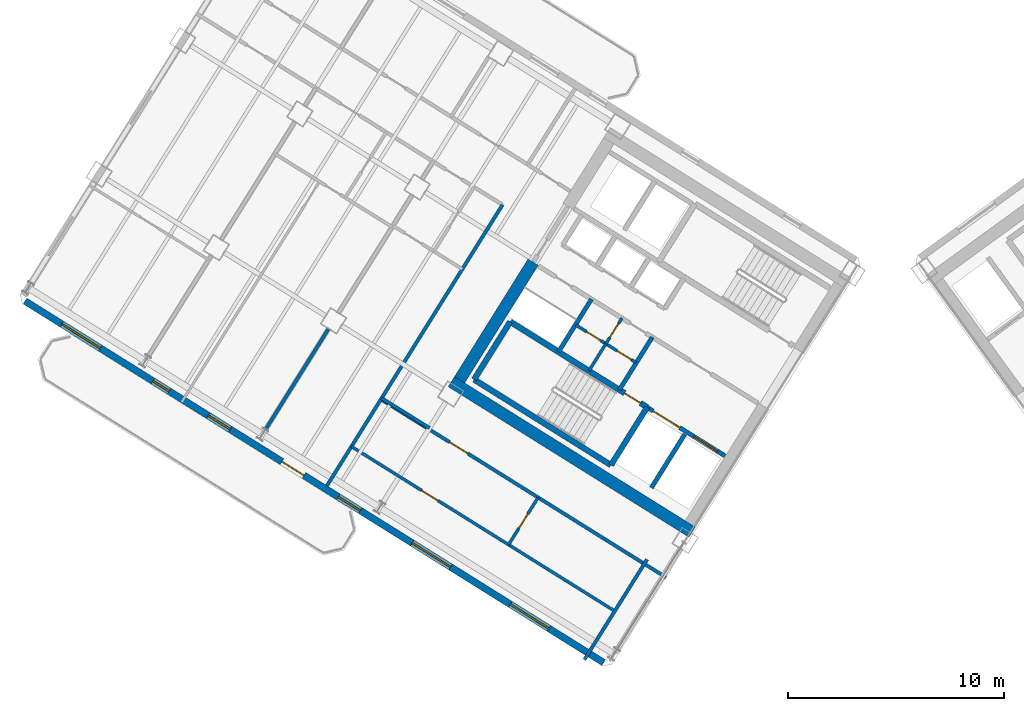
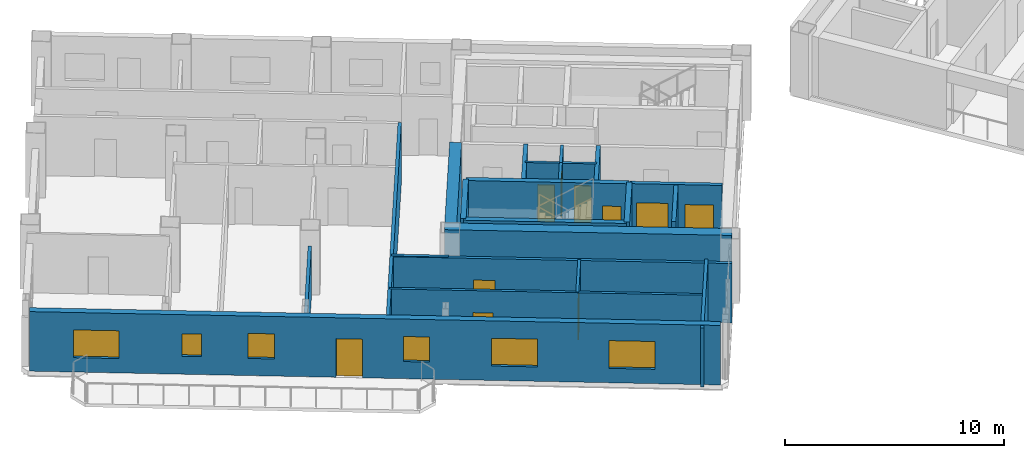
# One storey, part 10 of 18: 21 walls, 10 doors, 6 windows, 16 openings.
"""IFC4 building model written with IfcOpenShell, lengths in metres."""

from ifc_helpers import new_model, si_unit, direction, frame, frame_2d, origin, place, context, subcontext, project, spatial, rectangle, extrude, source, transform, mapped, material, layer, layer_set, type_object, element, fill, save


model = new_model("IFC4")

# Units and contexts
model_context = context("Model", 3, precision=1e-05, world=origin(), true_north=direction((0.0, 1.0)))
body_context = subcontext(model_context, "Body", "Model", "MODEL_VIEW")
ifc_project = project(units=[si_unit("LENGTHUNIT", "METRE"), si_unit("AREAUNIT", "SQUARE_METRE"), si_unit("VOLUMEUNIT", "CUBIC_METRE"), si_unit("PLANEANGLEUNIT", "RADIAN"), si_unit("MASSUNIT", "GRAM", prefix="KILO")], contexts=[model_context])

# Site, building, storey
site_placement = place(None, origin())
site = spatial("IfcSite", under=ifc_project, at=site_placement, CompositionType="ELEMENT")
building_placement = place(site_placement, origin())
building = spatial("IfcBuilding", under=site, at=building_placement, Name="Tlacorven Tower", CompositionType="ELEMENT")
storey_placement = place(building_placement, frame((0.0, 0.0, 132.60009765625)))
storey = spatial("IfcBuildingStorey", under=building, at=storey_placement, Name="L33", CompositionType="ELEMENT", Elevation=132.60009765625)

# Walls
ifc_material_1 = material(Name="Concrete C60/75", Category="concrete")
ifc_layer_1 = layer(ifc_material_1, 0.550048828125)
ifc_layer_set_1 = layer_set([ifc_layer_1], Name="Concrete C60/75")
wall_type_1 = type_object("IfcWallType", Name="WL-COR-550", PredefinedType="SHEAR", material=ifc_layer_set_1)
wall_1_placement = place(storey_placement, frame((33.3662109375, 12.4765625, 0.0), z_axis=(0.0, 0.0, 1.0), x_axis=(-0.848047359947, 0.529920442413, 0.0)))
element("IfcWall", 1, at=wall_1_placement, inside=storey, type_object=wall_type_1, Name="L33 W core shear wall S2", PredefinedType="SHEAR", context=body_context, shape_type="SweptSolid", body=[
    extrude(rectangle(XDim=13.139892578125, YDim=0.550048828125, at=frame_2d((6.56982421875, 0.0))), origin(), (0.0, 0.0, 1.0), 3.31982421875),
])
wall_2_placement = place(storey_placement, frame((26.006591796875, 24.975830078125, 0.0), z_axis=(0.0, 0.0, 1.0), x_axis=(-0.529923795287, -0.848045264823, 0.0)))
element("IfcWall", 2, at=wall_2_placement, inside=storey, type_object=wall_type_1, Name="L33 W core end wall E2.2", PredefinedType="SHEAR", context=body_context, shape_type="SweptSolid", body=[
    extrude(rectangle(XDim=6.425048828125, YDim=0.550048828125, at=frame_2d((3.21240234375, 0.0))), origin(), (0.0, 0.0, 1.0), 3.31982421875),
])
ifc_material_2 = material(Name="Gypsum plasterboard acoustic partition", Category="gypsum")
ifc_layer_2 = layer(ifc_material_2, 0.159912109375)
ifc_layer_set_2 = layer_set([ifc_layer_2], Name="Gypsum plasterboard acoustic partition")
wall_type_2 = type_object("IfcWallType", Name="WL-DEM-160", PredefinedType="PARTITIONING", material=ifc_layer_set_2)
wall_3_placement = place(storey_placement, frame((21.20556640625, 17.29248046875, 0.0), z_axis=(0.0, 0.0, 1.0), x_axis=(-0.848050851465, 0.529914854792, 0.0)))
element("IfcWall", 3, at=wall_3_placement, inside=storey, type_object=wall_type_2, Name="L33 partition 46", PredefinedType="PARTITIONING", context=body_context, shape_type="SweptSolid", body=[
    extrude(rectangle(XDim=2.60986328125, YDim=0.159912109375, at=frame_2d((1.304931640625, 0.0))), origin(), (0.0, 0.0, 1.0), 3.309814453125),
])
wall_4_placement = place(storey_placement, frame((24.587890625, 27.630859375, 0.0), z_axis=(0.0, 0.0, 1.0), x_axis=(-0.529914586043, -0.848051019396, 0.0)))
element("IfcWall", 4, at=wall_4_placement, inside=storey, type_object=wall_type_2, Name="L33 partition 48", PredefinedType="PARTITIONING", context=body_context, shape_type="SweptSolid", body=[
    extrude(rectangle(XDim=15.349609375, YDim=0.159912109375, at=frame_2d((7.6748046875, 0.0))), origin(), (0.0, 0.0, 1.0), 3.309814453125),
])
wall_5_placement = place(storey_placement, frame((16.518798828125, 21.86962890625, 0.0), z_axis=(0.0, 0.0, 1.0), x_axis=(-0.529922447305, -0.848046107144, 0.0)))
element("IfcWall", 5, at=wall_5_placement, inside=storey, type_object=wall_type_2, Name="L33 WN Demising Wall 1", PredefinedType="PARTITIONING", context=body_context, shape_type="SweptSolid", body=[
    extrude(rectangle(XDim=5.451171875, YDim=0.159912109375, at=frame_2d((2.7255859375, 0.0))), origin(), (0.0, 0.0, 1.0), 2.744873046875),
])

# Wall, opening, door
wall_6_placement = place(storey_placement, frame((32.164306640625, 10.373779296875, 0.0), z_axis=(0.0, 0.0, 1.0), x_axis=(-0.848044107957, 0.529925646633, 0.0)))
wall_6 = element("IfcWall", 6, at=wall_6_placement, inside=storey, type_object=wall_type_2, Name="L33 partition 62", PredefinedType="PARTITIONING", context=body_context, shape_type="SweptSolid", body=[
    extrude(rectangle(XDim=15.570068359375, YDim=0.159912109375, at=frame_2d((7.78515625, 0.0))), origin(), (0.0, 0.0, 1.0), 3.309814453125),
])
opening_1_placement = place(wall_6_placement, frame((10.830078125, 0.0, 0.0)))
opening_1 = element("IfcOpeningElement", 7, at=opening_1_placement, cuts=wall_6, Name="Opening D11", PredefinedType="OPENING", context=body_context, shape_type="SweptSolid", body=[
    extrude(rectangle(XDim=1.0, YDim=2.10009765625, at=frame_2d((0.5, 1.050048828125))), frame((0.0, 0.08984375, 0.0), z_axis=(0.0, -1.0, 0.0), x_axis=(1.0, 0.0, 0.0)), (0.0, 0.0, 1.0), 0.179931640625),
])
ifc_material_3 = material(Name="Fire-rated steel door assembly", Category="steel")
door_type_1 = type_object("IfcDoorType", Name="DR-FLT-FD60-1000", OperationType="NOTDEFINED", PredefinedType="DOOR", material=ifc_material_3)
shared_shape_1 = source(origin(), body_context, "Body", "SweptSolid", [
    extrude(rectangle(XDim=1.0, YDim=2.10009765625, at=frame_2d((0.5, 1.050048828125))), frame((0.0, 0.02490234375, 0.0), z_axis=(0.0, -1.0, 0.0), x_axis=(1.0, 0.0, 0.0)), (0.0, 0.0, 1.0), 0.050048828125),
])
door_1_placement = place(opening_1_placement, origin())
door_1 = element("IfcDoor", 8, at=door_1_placement, inside=storey, type_object=door_type_1, Name="L33 door 036", OperationType="SINGLE_SWING_RIGHT", OverallHeight=2.10009765625, OverallWidth=1.0, PredefinedType="DOOR", context=body_context, shape_type="MappedRepresentation", body=[
    mapped(shared_shape_1, transform((0.0, 0.0, 0.0), scale=1.0)),
])
fill(opening_1, door_1)

# Wall
wall_7_placement = place(storey_placement, frame((31.282470703125, 11.2080078125, 0.0), z_axis=(0.0, 0.0, 1.0), x_axis=(-0.529938869374, -0.84803584519, 0.0)))
element("IfcWall", 9, at=wall_7_placement, inside=storey, type_object=wall_type_2, Name="L33 WC West Throat Wall", PredefinedType="PARTITIONING", context=body_context, shape_type="SweptSolid", body=[
    extrude(rectangle(XDim=5.47998046875, YDim=0.159912109375, at=frame_2d((2.739990234375, 0.0))), origin(), (0.0, 0.0, 1.0), 3.309814453125),
])

# Wall, openings, door, windows
ifc_material_4 = material(Name="Precast concrete C45/55", Category="concrete")
ifc_layer_3 = layer(ifc_material_4, 0.320068359375)
ifc_layer_set_3 = layer_set([ifc_layer_3], Name="Precast concrete C45/55")
wall_type_3 = type_object("IfcWallType", Name="WL-EXT-320", PredefinedType="STANDARD", material=ifc_layer_set_3)
wall_8_placement = place(storey_placement, frame((29.267822265625, 6.429443359375, 0.0), z_axis=(0.0, 0.0, 1.0), x_axis=(-0.848049971435, 0.529916263149, 0.0)))
wall_8 = element("IfcWall", 10, at=wall_8_placement, inside=storey, type_object=wall_type_3, Name="L33 Masonry-Frame Recessed Facade Wall 1", PredefinedType="STANDARD", context=body_context, shape_type="SweptSolid", body=[
    extrude(rectangle(XDim=31.587646484375, YDim=0.320068359375, at=frame_2d((15.7939453125, 0.0))), origin(), (0.0, 0.0, 1.0), 3.31982421875),
])
opening_2_placement = place(wall_8_placement, frame((16.36181640625, 0.0, 0.0)))
opening_2 = element("IfcOpeningElement", 11, at=opening_2_placement, cuts=wall_8, Name="Opening D05", PredefinedType="OPENING", context=body_context, shape_type="SweptSolid", body=[
    extrude(rectangle(XDim=1.199951171875, YDim=2.14990234375, at=frame_2d((0.60009765625, 1.074951171875))), frame((0.0, 0.169921875, 0.0), z_axis=(0.0, -1.0, 0.0), x_axis=(1.0, 0.0, 0.0)), (0.0, 0.0, 1.0), 0.340087890625),
])
opening_3_placement = place(wall_8_placement, frame((2.98876953125, 0.0, 0.800048828125)))
opening_3 = element("IfcOpeningElement", 12, at=opening_3_placement, cuts=wall_8, Name="Opening WN04", PredefinedType="OPENING", context=body_context, shape_type="SweptSolid", body=[
    extrude(rectangle(XDim=2.10009765625, YDim=1.550048828125, at=frame_2d((1.050048828125, 0.77490234375))), frame((0.0, 0.169921875, 0.0), z_axis=(0.0, -1.0, 0.0), x_axis=(1.0, 0.0, 0.0)), (0.0, 0.0, 1.0), 0.340087890625),
])
opening_4_placement = place(wall_8_placement, frame((8.358642578125, 0.0, 0.800048828125)))
opening_4 = element("IfcOpeningElement", 13, at=opening_4_placement, cuts=wall_8, Name="Opening WN04", PredefinedType="OPENING", context=body_context, shape_type="SweptSolid", body=[
    extrude(rectangle(XDim=2.10009765625, YDim=1.550048828125, at=frame_2d((1.050048828125, 0.77490234375))), frame((0.0, 0.169921875, 0.0), z_axis=(0.0, -1.0, 0.0), x_axis=(1.0, 0.0, 0.0)), (0.0, 0.0, 1.0), 0.340087890625),
])
opening_5_placement = place(wall_8_placement, frame((13.28369140625, 0.0, 0.949951171875)))
opening_5 = element("IfcOpeningElement", 14, at=opening_5_placement, cuts=wall_8, Name="Opening WN03", PredefinedType="OPENING", context=body_context, shape_type="SweptSolid", body=[
    extrude(rectangle(XDim=1.199951171875, YDim=1.39990234375, at=frame_2d((0.60009765625, 0.699951171875))), frame((0.0, 0.169921875, 0.0), z_axis=(0.0, -1.0, 0.0), x_axis=(1.0, 0.0, 0.0)), (0.0, 0.0, 1.0), 0.340087890625),
])
opening_6_placement = place(wall_8_placement, frame((20.39013671875, 0.0, 0.949951171875)))
opening_6 = element("IfcOpeningElement", 15, at=opening_6_placement, cuts=wall_8, Name="Opening WN03", PredefinedType="OPENING", context=body_context, shape_type="SweptSolid", body=[
    extrude(rectangle(XDim=1.199951171875, YDim=1.39990234375, at=frame_2d((0.60009765625, 0.699951171875))), frame((0.0, 0.169921875, 0.0), z_axis=(0.0, -1.0, 0.0), x_axis=(1.0, 0.0, 0.0)), (0.0, 0.0, 1.0), 0.340087890625),
])
opening_7_placement = place(wall_8_placement, frame((23.715087890625, 0.0, 1.0)))
opening_7 = element("IfcOpeningElement", 16, at=opening_7_placement, cuts=wall_8, Name="Opening WN05", PredefinedType="OPENING", context=body_context, shape_type="SweptSolid", body=[
    extrude(rectangle(XDim=0.89990234375, YDim=1.25, at=frame_2d((0.449951171875, 0.625))), frame((0.0, 0.169921875, 0.0), z_axis=(0.0, -1.0, 0.0), x_axis=(1.0, 0.0, 0.0)), (0.0, 0.0, 1.0), 0.340087890625),
])
opening_8_placement = place(wall_8_placement, frame((27.480712890625, 0.0, 0.800048828125)))
opening_8 = element("IfcOpeningElement", 17, at=opening_8_placement, cuts=wall_8, Name="Opening WN04", PredefinedType="OPENING", context=body_context, shape_type="SweptSolid", body=[
    extrude(rectangle(XDim=2.10009765625, YDim=1.550048828125, at=frame_2d((1.050048828125, 0.77490234375))), frame((0.0, 0.169921875, 0.0), z_axis=(0.0, -1.0, 0.0), x_axis=(1.0, 0.0, 0.0)), (0.0, 0.0, 1.0), 0.340087890625),
])
ifc_material_5 = material(Name="Powder-coated aluminium and timber door", Category="wood")
door_type_2 = type_object("IfcDoorType", Name="DR-EXT-BALC-1200", OperationType="NOTDEFINED", PredefinedType="DOOR", material=ifc_material_5)
shared_shape_2 = source(origin(), body_context, "Body", "SweptSolid", [
    extrude(rectangle(XDim=1.199951171875, YDim=2.14990234375, at=frame_2d((0.60009765625, 1.074951171875))), frame((0.0, 0.02490234375, 0.0), z_axis=(0.0, -1.0, 0.0), x_axis=(1.0, 0.0, 0.0)), (0.0, 0.0, 1.0), 0.050048828125),
])
door_2_placement = place(opening_2_placement, origin())
door_2 = element("IfcDoor", 18, at=door_2_placement, inside=storey, type_object=door_type_2, Name="L33 Outdoor Access Door BAL-L33-W-OUT", OperationType="SINGLE_SWING_LEFT", OverallHeight=2.14990234375, OverallWidth=1.199951171875, PredefinedType="DOOR", context=body_context, shape_type="MappedRepresentation", body=[
    mapped(shared_shape_2, transform((0.0, 0.0, 0.0), scale=1.0)),
])
fill(opening_2, door_2)
ifc_material_6 = material(Name="Dark solar low-E double glazing in anodised aluminium frame", Category="aluminium")
window_type_1 = type_object("IfcWindowType", Name="WN-APT-2100X1750", PartitioningType="SINGLE_PANEL", PredefinedType="WINDOW", material=ifc_material_6)
shared_shape_3 = source(origin(), body_context, "Body", "SweptSolid", [
    extrude(rectangle(XDim=2.10009765625, YDim=1.550048828125, at=frame_2d((1.050048828125, 0.77490234375))), frame((0.0, 0.030029296875, 0.0), z_axis=(0.0, -1.0, 0.0), x_axis=(1.0, 0.0, 0.0)), (0.0, 0.0, 1.0), 0.06005859375),
])
window_1_placement = place(opening_3_placement, origin())
window_1 = element("IfcWindow", 19, at=window_1_placement, inside=storey, type_object=window_type_1, Name="L33 Recessed Masonry-Frame Window L33-01.1", OverallHeight=1.550048828125, OverallWidth=2.10009765625, PartitioningType="SINGLE_PANEL", PredefinedType="WINDOW", context=body_context, shape_type="MappedRepresentation", body=[
    mapped(shared_shape_3, transform((0.0, 0.0, 0.0), scale=1.0)),
])
fill(opening_3, window_1)
window_2_placement = place(opening_4_placement, origin())
window_2 = element("IfcWindow", 20, at=window_2_placement, inside=storey, type_object=window_type_1, Name="L33 Recessed Masonry-Frame Window L33-01.2", OverallHeight=1.550048828125, OverallWidth=2.10009765625, PartitioningType="SINGLE_PANEL", PredefinedType="WINDOW", context=body_context, shape_type="MappedRepresentation", body=[
    mapped(shared_shape_3, transform((0.0, 0.0, 0.0), scale=1.0)),
])
fill(opening_4, window_2)
window_3_placement = place(opening_8_placement, origin())
window_3 = element("IfcWindow", 21, at=window_3_placement, inside=storey, type_object=window_type_1, Name="L33 Recessed Masonry-Frame Window L33-01.6", OverallHeight=1.550048828125, OverallWidth=2.10009765625, PartitioningType="SINGLE_PANEL", PredefinedType="WINDOW", context=body_context, shape_type="MappedRepresentation", body=[
    mapped(shared_shape_3, transform((0.0, 0.0, 0.0), scale=1.0)),
])
fill(opening_8, window_3)
window_type_2 = type_object("IfcWindowType", Name="WN-APT-1200X1500", PartitioningType="SINGLE_PANEL", PredefinedType="WINDOW", material=ifc_material_6)
shared_shape_4 = source(origin(), body_context, "Body", "SweptSolid", [
    extrude(rectangle(XDim=1.199951171875, YDim=1.39990234375, at=frame_2d((0.60009765625, 0.699951171875))), frame((0.0, 0.030029296875, 0.0), z_axis=(0.0, -1.0, 0.0), x_axis=(1.0, 0.0, 0.0)), (0.0, 0.0, 1.0), 0.06005859375),
])
window_4_placement = place(opening_5_placement, origin())
window_4 = element("IfcWindow", 22, at=window_4_placement, inside=storey, type_object=window_type_2, Name="L33 Recessed Masonry-Frame Window L33-01.3", OverallHeight=1.39990234375, OverallWidth=1.199951171875, PartitioningType="SINGLE_PANEL", PredefinedType="WINDOW", context=body_context, shape_type="MappedRepresentation", body=[
    mapped(shared_shape_4, transform((0.0, 0.0, 0.0), scale=1.0)),
])
fill(opening_5, window_4)
window_5_placement = place(opening_6_placement, origin())
window_5 = element("IfcWindow", 23, at=window_5_placement, inside=storey, type_object=window_type_2, Name="L33 Recessed Masonry-Frame Window L33-01.4", OverallHeight=1.39990234375, OverallWidth=1.199951171875, PartitioningType="SINGLE_PANEL", PredefinedType="WINDOW", context=body_context, shape_type="MappedRepresentation", body=[
    mapped(shared_shape_4, transform((0.0, 0.0, 0.0), scale=1.0)),
])
fill(opening_6, window_5)
window_type_3 = type_object("IfcWindowType", Name="WN-APT-0900X1350", PartitioningType="SINGLE_PANEL", PredefinedType="WINDOW", material=ifc_material_6)
shared_shape_5 = source(origin(), body_context, "Body", "SweptSolid", [
    extrude(rectangle(XDim=0.89990234375, YDim=1.25, at=frame_2d((0.449951171875, 0.625))), frame((0.0, 0.030029296875, 0.0), z_axis=(0.0, -1.0, 0.0), x_axis=(1.0, 0.0, 0.0)), (0.0, 0.0, 1.0), 0.06005859375),
])
window_6_placement = place(opening_7_placement, origin())
window_6 = element("IfcWindow", 24, at=window_6_placement, inside=storey, type_object=window_type_3, Name="L33 Recessed Masonry-Frame Window L33-01.5", OverallHeight=1.25, OverallWidth=0.89990234375, PartitioningType="SINGLE_PANEL", PredefinedType="WINDOW", context=body_context, shape_type="MappedRepresentation", body=[
    mapped(shared_shape_5, transform((0.0, 0.0, 0.0), scale=1.0)),
])
fill(opening_7, window_6)

# Wall, opening, door
ifc_material_7 = material(Name="Moisture-resistant gypsum plumbing wall", Category="gypsum")
ifc_layer_4 = layer(ifc_material_7, 0.139892578125)
ifc_layer_set_4 = layer_set([ifc_layer_4], Name="Moisture-resistant gypsum plumbing wall")
wall_type_4 = type_object("IfcWallType", Name="WL-PLM-140", PredefinedType="PLUMBINGWALL", material=ifc_layer_set_4)
wall_9_placement = place(storey_placement, frame((30.117431640625, 22.383544921875, 0.0), z_axis=(0.0, 0.0, 1.0), x_axis=(-0.529951914384, -0.848027693204, 0.0)))
wall_9 = element("IfcWall", 25, at=wall_9_placement, inside=storey, type_object=wall_type_4, Name="L33 partition 23", PredefinedType="PLUMBINGWALL", context=body_context, shape_type="SweptSolid", body=[
    extrude(rectangle(XDim=1.39990234375, YDim=0.139892578125, at=frame_2d((0.699951171875, 0.0))), origin(), (0.0, 0.0, 1.0), 3.309814453125),
])
opening_9_placement = place(wall_9_placement, frame((0.280029296875, 0.0, 0.0)))
opening_9 = element("IfcOpeningElement", 26, at=opening_9_placement, cuts=wall_9, Name="Opening D22", PredefinedType="OPENING", context=body_context, shape_type="SweptSolid", body=[
    extrude(rectangle(XDim=0.780029296875, YDim=2.050048828125, at=frame_2d((0.39013671875, 1.02490234375))), frame((0.0, 0.080078125, 0.0), z_axis=(0.0, -1.0, 0.0), x_axis=(1.0, 0.0, 0.0)), (0.0, 0.0, 1.0), 0.159912109375),
])
door_type_3 = type_object("IfcDoorType", Name="DR-INT-WET-0780", OperationType="NOTDEFINED", PredefinedType="DOOR", material=ifc_material_5)
shared_shape_6 = source(origin(), body_context, "Body", "SweptSolid", [
    extrude(rectangle(XDim=0.780029296875, YDim=2.050048828125, at=frame_2d((0.39013671875, 1.02490234375))), frame((0.0, 0.02490234375, 0.0), z_axis=(0.0, -1.0, 0.0), x_axis=(1.0, 0.0, 0.0)), (0.0, 0.0, 1.0), 0.050048828125),
])
door_3_placement = place(opening_9_placement, origin())
door_3 = element("IfcDoor", 27, at=door_3_placement, inside=storey, type_object=door_type_3, Name="L33 door 011", OperationType="SINGLE_SWING_RIGHT", OverallHeight=2.050048828125, OverallWidth=0.780029296875, PredefinedType="DOOR", context=body_context, shape_type="MappedRepresentation", body=[
    mapped(shared_shape_6, transform((0.0, 0.0, 0.0), scale=1.0)),
])
fill(opening_9, door_3)

# Wall
wall_10_placement = place(storey_placement, frame((29.37548828125, 21.1962890625, 0.0), z_axis=(0.0, 0.0, 1.0), x_axis=(-0.529865479138, -0.848081702443, 0.0)))
element("IfcWall", 28, at=wall_10_placement, inside=storey, type_object=wall_type_4, Name="L33 partition 24", PredefinedType="PLUMBINGWALL", context=body_context, shape_type="SweptSolid", body=[
    extrude(rectangle(XDim=1.47998046875, YDim=0.139892578125, at=frame_2d((0.739990234375, 0.0))), origin(), (0.0, 0.0, 1.0), 3.309814453125),
])

# Wall, openings, doors
wall_11_placement = place(storey_placement, frame((30.766357421875, 20.3271484375, 0.0), z_axis=(0.0, 0.0, 1.0), x_axis=(-0.848052663127, 0.529911955482, 0.0)))
wall_11 = element("IfcWall", 29, at=wall_11_placement, inside=storey, type_object=wall_type_4, Name="L33 partition 25", PredefinedType="PLUMBINGWALL", context=body_context, shape_type="SweptSolid", body=[
    extrude(rectangle(XDim=3.27978515625, YDim=0.139892578125, at=frame_2d((1.639892578125, 0.0))), origin(), (0.0, 0.0, 1.0), 3.309814453125),
])
opening_10_placement = place(wall_11_placement, frame((0.25, 0.0, 0.0)))
opening_10 = element("IfcOpeningElement", 30, at=opening_10_placement, cuts=wall_11, Name="Opening D22", PredefinedType="OPENING", context=body_context, shape_type="SweptSolid", body=[
    extrude(rectangle(XDim=0.780029296875, YDim=2.050048828125, at=frame_2d((0.39013671875, 1.02490234375))), frame((0.0, 0.080078125, 0.0), z_axis=(0.0, -1.0, 0.0), x_axis=(1.0, 0.0, 0.0)), (0.0, 0.0, 1.0), 0.159912109375),
])
opening_11_placement = place(wall_11_placement, frame((1.919921875, 0.0, 0.0)))
opening_11 = element("IfcOpeningElement", 31, at=opening_11_placement, cuts=wall_11, Name="Opening D22", PredefinedType="OPENING", context=body_context, shape_type="SweptSolid", body=[
    extrude(rectangle(XDim=0.780029296875, YDim=2.050048828125, at=frame_2d((0.39013671875, 1.02490234375))), frame((0.0, 0.080078125, 0.0), z_axis=(0.0, -1.0, 0.0), x_axis=(1.0, 0.0, 0.0)), (0.0, 0.0, 1.0), 0.159912109375),
])
door_4_placement = place(opening_10_placement, origin())
door_4 = element("IfcDoor", 32, at=door_4_placement, inside=storey, type_object=door_type_3, Name="L33 door 012", OperationType="SINGLE_SWING_LEFT", OverallHeight=2.050048828125, OverallWidth=0.780029296875, PredefinedType="DOOR", context=body_context, shape_type="MappedRepresentation", body=[
    mapped(shared_shape_6, transform((0.0, 0.0, 0.0), scale=1.0)),
])
fill(opening_10, door_4)
door_5_placement = place(opening_11_placement, origin())
door_5 = element("IfcDoor", 33, at=door_5_placement, inside=storey, type_object=door_type_3, Name="L33 door 013", OperationType="SINGLE_SWING_RIGHT", OverallHeight=2.050048828125, OverallWidth=0.780029296875, PredefinedType="DOOR", context=body_context, shape_type="MappedRepresentation", body=[
    mapped(shared_shape_6, transform((0.0, 0.0, 0.0), scale=1.0)),
])
fill(opening_11, door_5)

# Wall, opening, door
wall_12_placement = place(storey_placement, frame((29.72021484375, 8.85888671875, 0.0), z_axis=(0.0, 0.0, 1.0), x_axis=(-0.848049134363, 0.529917602752, 0.0)))
wall_12 = element("IfcWall", 34, at=wall_12_placement, inside=storey, type_object=wall_type_4, Name="L33 partition 64", PredefinedType="PLUMBINGWALL", context=body_context, shape_type="SweptSolid", body=[
    extrude(rectangle(XDim=14.300048828125, YDim=0.139892578125, at=frame_2d((7.14990234375, 0.0))), origin(), (0.0, 0.0, 1.0), 3.309814453125),
])
opening_12_placement = place(wall_12_placement, frame((9.570068359375, 0.0, 0.0)))
opening_12 = element("IfcOpeningElement", 35, at=opening_12_placement, cuts=wall_12, Name="Opening D12", PredefinedType="OPENING", context=body_context, shape_type="SweptSolid", body=[
    extrude(rectangle(XDim=0.919921875, YDim=2.080078125, at=frame_2d((0.4599609375, 1.0400390625))), frame((0.0, 0.080078125, 0.0), z_axis=(0.0, -1.0, 0.0), x_axis=(1.0, 0.0, 0.0)), (0.0, 0.0, 1.0), 0.159912109375),
])
door_type_4 = type_object("IfcDoorType", Name="DR-INT-ROOM-0920", OperationType="NOTDEFINED", PredefinedType="DOOR", material=ifc_material_5)
shared_shape_7 = source(origin(), body_context, "Body", "SweptSolid", [
    extrude(rectangle(XDim=0.919921875, YDim=2.080078125, at=frame_2d((0.4599609375, 1.0400390625))), frame((0.0, 0.02490234375, 0.0), z_axis=(0.0, -1.0, 0.0), x_axis=(1.0, 0.0, 0.0)), (0.0, 0.0, 1.0), 0.050048828125),
])
door_6_placement = place(opening_12_placement, origin())
door_6 = element("IfcDoor", 36, at=door_6_placement, inside=storey, type_object=door_type_4, Name="L33 door 037", OperationType="SINGLE_SWING_LEFT", OverallHeight=2.080078125, OverallWidth=0.919921875, PredefinedType="DOOR", context=body_context, shape_type="MappedRepresentation", body=[
    mapped(shared_shape_7, transform((0.0, 0.0, 0.0), scale=1.0)),
])
fill(opening_12, door_6)

wall_13_placement = place(storey_placement, frame((26.236572265625, 14.077880859375, 0.0), z_axis=(0.0, 0.0, 1.0), x_axis=(-0.52995640672, -0.848024885824, 0.0)))
wall_13 = element("IfcWall", 37, at=wall_13_placement, inside=storey, type_object=wall_type_4, Name="L33 partition 65", PredefinedType="PLUMBINGWALL", context=body_context, shape_type="SweptSolid", body=[
    extrude(rectangle(XDim=2.579833984375, YDim=0.139892578125, at=frame_2d((1.2900390625, 0.0))), origin(), (0.0, 0.0, 1.0), 3.309814453125),
])
opening_13_placement = place(wall_13_placement, frame((0.89990234375, 0.0, 0.0)))
opening_13 = element("IfcOpeningElement", 38, at=opening_13_placement, cuts=wall_13, Name="Opening D22", PredefinedType="OPENING", context=body_context, shape_type="SweptSolid", body=[
    extrude(rectangle(XDim=0.780029296875, YDim=2.050048828125, at=frame_2d((0.39013671875, 1.02490234375))), frame((0.0, 0.080078125, 0.0), z_axis=(0.0, -1.0, 0.0), x_axis=(1.0, 0.0, 0.0)), (0.0, 0.0, 1.0), 0.159912109375),
])
door_7_placement = place(opening_13_placement, origin())
door_7 = element("IfcDoor", 39, at=door_7_placement, inside=storey, type_object=door_type_3, Name="L33 door 038", OperationType="SINGLE_SWING_RIGHT", OverallHeight=2.050048828125, OverallWidth=0.780029296875, PredefinedType="DOOR", context=body_context, shape_type="MappedRepresentation", body=[
    mapped(shared_shape_6, transform((0.0, 0.0, 0.0), scale=1.0)),
])
fill(opening_13, door_7)

# Wall, openings, doors
ifc_material_8 = material(Name="Concrete C40/50", Category="concrete")
ifc_layer_5 = layer(ifc_material_8, 0.199951171875)
ifc_layer_set_5 = layer_set([ifc_layer_5], Name="Concrete C40/50")
wall_type_5 = type_object("IfcWallType", Name="WL-SHF-200", PredefinedType="STANDARD", material=ifc_layer_set_5)
wall_14_placement = place(storey_placement, frame((34.890625, 16.0048828125, 0.0), z_axis=(0.0, 0.0, 1.0), x_axis=(-0.848062873452, 0.529895614884, 0.0)))
wall_14 = element("IfcWall", 40, at=wall_14_placement, inside=storey, type_object=wall_type_5, Name="L33 Core W Firefighting Lift Shaft Front Wall", PredefinedType="STANDARD", context=body_context, shape_type="SweptSolid", body=[
    extrude(rectangle(XDim=4.248046875, YDim=0.199951171875, at=frame_2d((2.1240234375, 0.0))), origin(), (0.0, 0.0, 1.0), 3.309814453125),
])
opening_14_placement = place(wall_14_placement, frame((0.39794921875, 0.0, 0.0)))
opening_14 = element("IfcOpeningElement", 41, at=opening_14_placement, cuts=wall_14, Name="Opening LD03", PredefinedType="OPENING", context=body_context, shape_type="SweptSolid", body=[
    extrude(rectangle(XDim=1.300048828125, YDim=2.199951171875, at=frame_2d((0.64990234375, 1.10009765625))), frame((0.0, 0.10986328125, 0.0), z_axis=(0.0, -1.0, 0.0), x_axis=(1.0, 0.0, 0.0)), (0.0, 0.0, 1.0), 0.219970703125),
])
opening_15_placement = place(wall_14_placement, frame((2.472900390625, 0.0, 0.0)))
opening_15 = element("IfcOpeningElement", 42, at=opening_15_placement, cuts=wall_14, Name="Opening LD04", PredefinedType="OPENING", context=body_context, shape_type="SweptSolid", body=[
    extrude(rectangle(XDim=1.449951171875, YDim=2.25, at=frame_2d((0.72509765625, 1.125))), frame((0.0, 0.10986328125, 0.0), z_axis=(0.0, -1.0, 0.0), x_axis=(1.0, 0.0, 0.0)), (0.0, 0.0, 1.0), 0.219970703125),
])
door_type_5 = type_object("IfcDoorType", Name="DR-LFT-SLID-1300", OperationType="DOUBLE_DOOR_SLIDING", PredefinedType="DOOR", material=ifc_material_3)
shared_shape_8 = source(origin(), body_context, "Body", "SweptSolid", [
    extrude(rectangle(XDim=1.300048828125, YDim=2.199951171875, at=frame_2d((0.64990234375, 1.10009765625))), frame((0.0, 0.02490234375, 0.0), z_axis=(0.0, -1.0, 0.0), x_axis=(1.0, 0.0, 0.0)), (0.0, 0.0, 1.0), 0.050048828125),
])
door_8_placement = place(opening_14_placement, origin())
door_8 = element("IfcDoor", 43, at=door_8_placement, inside=storey, type_object=door_type_5, Name="L33 Lift FFL-W1 Sliding Landing Door", OperationType="DOUBLE_DOOR_SLIDING", OverallHeight=2.199951171875, OverallWidth=1.300048828125, PredefinedType="DOOR", context=body_context, shape_type="MappedRepresentation", body=[
    mapped(shared_shape_8, transform((0.0, 0.0, 0.0), scale=1.0)),
])
fill(opening_14, door_8)
door_type_6 = type_object("IfcDoorType", Name="DR-LFT-SLID-1450", OperationType="DOUBLE_DOOR_SLIDING", PredefinedType="DOOR", material=ifc_material_3)
shared_shape_9 = source(origin(), body_context, "Body", "SweptSolid", [
    extrude(rectangle(XDim=1.449951171875, YDim=2.25, at=frame_2d((0.72509765625, 1.125))), frame((0.0, 0.02490234375, 0.0), z_axis=(0.0, -1.0, 0.0), x_axis=(1.0, 0.0, 0.0)), (0.0, 0.0, 1.0), 0.050048828125),
])
door_9_placement = place(opening_15_placement, origin())
door_9 = element("IfcDoor", 44, at=door_9_placement, inside=storey, type_object=door_type_6, Name="L33 Lift SVL-W1 Sliding Landing Door", OperationType="DOUBLE_DOOR_SLIDING", OverallHeight=2.25, OverallWidth=1.449951171875, PredefinedType="DOOR", context=body_context, shape_type="MappedRepresentation", body=[
    mapped(shared_shape_9, transform((0.0, 0.0, 0.0), scale=1.0)),
])
fill(opening_15, door_9)

# Walls
wall_15_placement = place(storey_placement, frame((33.02880859375, 17.003173828125, 0.0), z_axis=(0.0, 0.0, 1.0), x_axis=(-0.529916267533, -0.848049968695, 0.0)))
element("IfcWall", 45, at=wall_15_placement, inside=storey, type_object=wall_type_5, Name="L33 partition 14", PredefinedType="STANDARD", context=body_context, shape_type="SweptSolid", body=[
    extrude(rectangle(XDim=2.919921875, YDim=0.199951171875, at=frame_2d((1.4599609375, 0.0))), origin(), (0.0, 0.0, 1.0), 3.309814453125),
])
for number, where, z_axis, x_axis, name in (
    (46, (31.525146484375, 21.503662109375, 0.0), (0.0, 0.0, 1.0), (-0.529907497854, -0.848055448493, 0.0), "L33 partition 20"),
    (47, (28.709716796875, 23.26318359375, 0.0), (0.0, 0.0, 1.0), (-0.529907497854, -0.848055448493, 0.0), "L33 partition 21"),
):
    element("IfcWall", number, at=place(storey_placement, frame(where, z_axis=z_axis, x_axis=x_axis)), inside=storey, type_object=wall_type_5, Name=name, PredefinedType="STANDARD", context=body_context, shape_type="SweptSolid", body=[
        extrude(rectangle(XDim=2.8798828125, YDim=0.199951171875, at=frame_2d((1.43994140625, 0.0))), origin(), (0.0, 0.0, 1.0), 3.309814453125),
    ])
ifc_material_9 = material(Name="Concrete C50/60", Category="concrete")
ifc_layer_6 = layer(ifc_material_9, 0.260009765625)
ifc_layer_set_6 = layer_set([ifc_layer_6], Name="Concrete C50/60")
wall_type_6 = type_object("IfcWallType", Name="WL-STW-260", PredefinedType="SHEAR", material=ifc_layer_set_6)
wall_16_placement = place(storey_placement, frame((29.60498046875, 15.581298828125, 0.0), z_axis=(0.0, 0.0, 1.0), x_axis=(-0.848036911448, 0.529937163087, 0.0)))
element("IfcWall", 48, at=wall_16_placement, inside=storey, type_object=wall_type_6, Name="L33 Stair W1 Far Shear Wall", PredefinedType="SHEAR", context=body_context, shape_type="SweptSolid", body=[
    extrude(rectangle(XDim=7.4599609375, YDim=0.260009765625, at=frame_2d((3.72998046875, 0.0))), origin(), (0.0, 0.0, 1.0), 3.31982421875),
])

# Wall, opening, door
wall_17_placement = place(storey_placement, frame((31.279541015625, 18.26123046875, 0.0), z_axis=(0.0, 0.0, 1.0), x_axis=(-0.848051618787, 0.529913626805, 0.0)))
wall_17 = element("IfcWall", 49, at=wall_17_placement, inside=storey, type_object=wall_type_6, Name="L33 Stair W1 Lobby Shear Wall", PredefinedType="SHEAR", context=body_context, shape_type="SweptSolid", body=[
    extrude(rectangle(XDim=7.4599609375, YDim=0.260009765625, at=frame_2d((3.72998046875, 0.0))), origin(), (0.0, 0.0, 1.0), 3.31982421875),
])
opening_16_placement = place(wall_17_placement, frame((0.360107421875, 0.0, 0.0)))
opening_16 = element("IfcOpeningElement", 50, at=opening_16_placement, cuts=wall_17, Name="Opening D19", PredefinedType="OPENING", context=body_context, shape_type="SweptSolid", body=[
    extrude(rectangle(XDim=0.860107421875, YDim=2.050048828125, at=frame_2d((0.43017578125, 1.02490234375))), frame((0.0, 0.14013671875, 0.0), z_axis=(0.0, -1.0, 0.0), x_axis=(1.0, 0.0, 0.0)), (0.0, 0.0, 1.0), 0.280029296875),
])
door_type_7 = type_object("IfcDoorType", Name="DR-RSR-FD60-0860", OperationType="NOTDEFINED", PredefinedType="DOOR", material=ifc_material_3)
shared_shape_10 = source(origin(), body_context, "Body", "SweptSolid", [
    extrude(rectangle(XDim=0.860107421875, YDim=2.050048828125, at=frame_2d((0.43017578125, 1.02490234375))), frame((0.0, 0.02490234375, 0.0), z_axis=(0.0, -1.0, 0.0), x_axis=(1.0, 0.0, 0.0)), (0.0, 0.0, 1.0), 0.050048828125),
])
door_10_placement = place(opening_16_placement, frame((0.860107421875, 0.0, 0.0), z_axis=(0.0, 0.0, 1.0), x_axis=(-1.0, 0.0, 0.0)))
door_10 = element("IfcDoor", 51, at=door_10_placement, inside=storey, type_object=door_type_7, Name="L33 Exit Stair W1 Fire Door", OperationType="SINGLE_SWING_LEFT", OverallHeight=2.050048828125, OverallWidth=0.860107421875, PredefinedType="DOOR", context=body_context, shape_type="MappedRepresentation", body=[
    mapped(shared_shape_10, transform((0.0, 0.0, 0.0), scale=1.0)),
])
fill(opening_16, door_10)

# Walls
wall_18_placement = place(storey_placement, frame((31.2880859375, 18.255859375, 0.0), z_axis=(0.0, 0.0, 1.0), x_axis=(-0.529943379326, -0.848033026897, 0.0)))
element("IfcWall", 52, at=wall_18_placement, inside=storey, type_object=wall_type_6, Name="L33 Stair W1 West Shear Wall", PredefinedType="SHEAR", context=body_context, shape_type="SweptSolid", body=[
    extrude(rectangle(XDim=3.159912109375, YDim=0.260009765625, at=frame_2d((1.580078125, 0.0))), origin(), (0.0, 0.0, 1.0), 3.31982421875),
])
wall_19_placement = place(storey_placement, frame((24.944580078125, 22.2197265625, 0.0), z_axis=(0.0, 0.0, 1.0), x_axis=(-0.529908658664, -0.84805472316, 0.0)))
element("IfcWall", 53, at=wall_19_placement, inside=storey, type_object=wall_type_6, Name="L33 Stair W1 East Shear Wall", PredefinedType="SHEAR", context=body_context, shape_type="SweptSolid", body=[
    extrude(rectangle(XDim=3.16015625, YDim=0.260009765625, at=frame_2d((1.580078125, 0.0))), origin(), (0.0, 0.0, 1.0), 3.31982421875),
])

save(model, "model.ifc")
